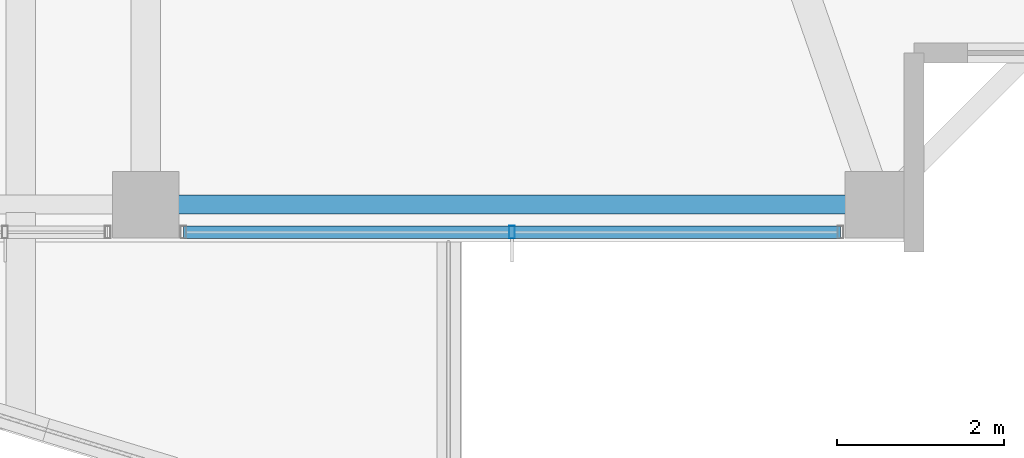
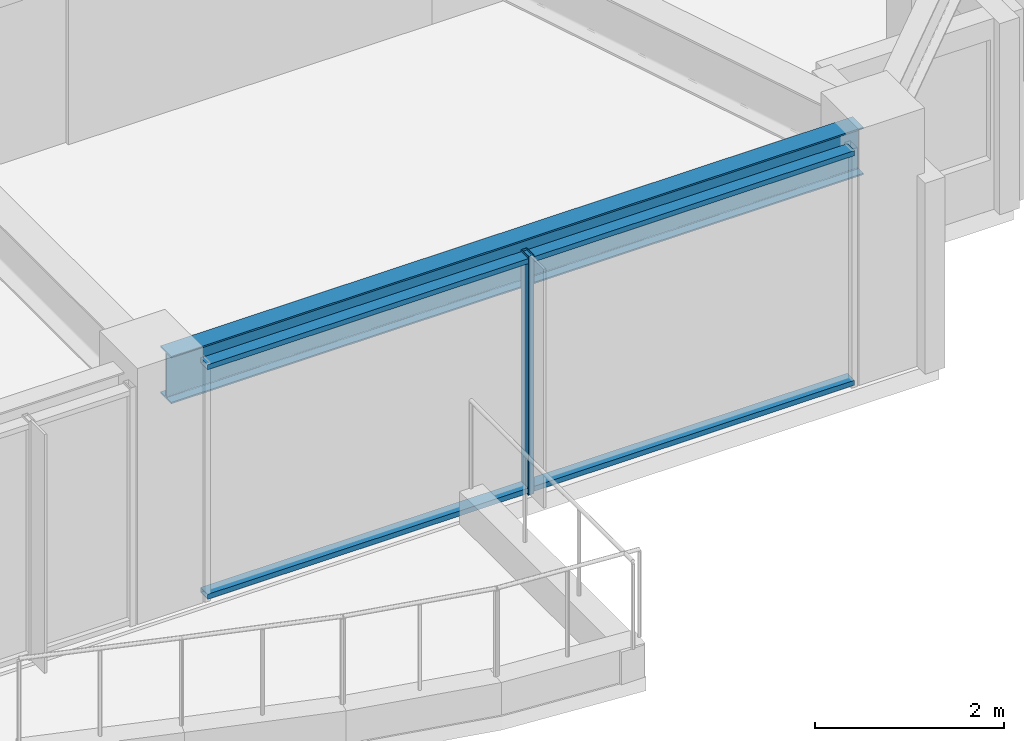
# One storey, part 7 of 36: 3 members, 1 beam, 1 element without a shape of its own.
"""IFC4 building model written with IfcOpenShell, lengths in metres."""

from ifc_helpers import new_model, si_unit, direction, frame, origin, origin_2d, place, context, subcontext, project, spatial, hollow_rectangle, i_section, extrude, material, material_profile, profile_set, type_object, element, aggregate, save


model = new_model("IFC4")

# Units and contexts
model_context = context("Model", 3, precision=1e-05, world=origin(), true_north=direction((0.0, 1.0)))
body_context = subcontext(model_context, "Body", "Model", "MODEL_VIEW")
ifc_project = project(units=[si_unit("LENGTHUNIT", "METRE"), si_unit("AREAUNIT", "SQUARE_METRE"), si_unit("VOLUMEUNIT", "CUBIC_METRE"), si_unit("PLANEANGLEUNIT", "RADIAN"), si_unit("MASSUNIT", "GRAM", prefix="KILO")], contexts=[model_context])

# Site, building, storey
site_placement = place(None, origin())
site = spatial("IfcSite", under=ifc_project, at=site_placement, CompositionType="ELEMENT")
building_placement = place(site_placement, origin())
building = spatial("IfcBuilding", under=site, at=building_placement, Name="Kolvaren Belvedere", CompositionType="ELEMENT")
storey_placement = place(building_placement, frame((0.0, 0.0, 199.800048828125)))
storey = spatial("IfcBuildingStorey", under=building, at=storey_placement, Name="L58", CompositionType="ELEMENT", Elevation=199.800048828125)

# Beam
ifc_material_1 = material(Name="Structural steel ASTM A992 Grade 50", Category="steel")
ifc_material_profile_1 = material_profile(ifc_material_1, i_section(OverallWidth=0.22900390625, OverallDepth=0.612060546875, WebThickness=0.011962890625, FlangeThickness=0.01953125, FilletRadius=0.01806640625, at=origin_2d()), Name="W24X84")
ifc_profile_set_1 = profile_set([ifc_material_profile_1], Name="Structural steel ASTM A992 Grade 50")
beam_type = type_object("IfcBeamType", Name="BM-SPAN-W24X84", PredefinedType="SPANDREL", material=ifc_profile_set_1)
beam_placement = place(storey_placement, frame((4.780029296875, -19.949951171875, 2.77392578125), z_axis=(1.0, 0.0, 0.0), x_axis=(0.0, 1.0, 0.0)))
element("IfcBeam", 1, at=beam_placement, inside=storey, type_object=beam_type, Name="L58 Perimeter Spandrel S3-S4", PredefinedType="SPANDREL", context=body_context, shape_type="SweptSolid", body=[
    extrude(i_section(OverallWidth=0.22900390625, OverallDepth=0.612060546875, WebThickness=0.011962890625, FlangeThickness=0.01953125, FilletRadius=0.01806640625, at=origin_2d()), origin(), (0.0, 0.0, 1.0), 8.43994140625),
])

# Curtain wall, members
ifc_material_2 = material(Name="Anodised pale-metal aluminium AA 6063-T6", Category="aluminium")
curtain_wall_type = type_object("IfcCurtainWallType", Name="CW-Z5-HIGH", PredefinedType="NOTDEFINED", material=ifc_material_2)
curtain_wall_placement = place(storey_placement, origin())
curtain_wall = element("IfcCurtainWall", 2, at=curtain_wall_placement, inside=storey, type_object=curtain_wall_type, Name="L58 Unitised Curtain Wall FCW-L58-S1-B1", PredefinedType="NOTDEFINED")
ifc_material_3 = material(Name="Anodised pale-metal aluminium AA 6063-T6", Category="aluminium")
ifc_material_profile_2 = material_profile(ifc_material_3, hollow_rectangle(XDim=0.070068359375, YDim=0.14990234375, WallThickness=0.004150390625, at=origin_2d()), Name="ALU-MUL-150X70")
ifc_profile_set_2 = profile_set([ifc_material_profile_2], Name="Anodised pale-metal aluminium AA 6063-T6")
member_type_1 = type_object("IfcMemberType", Name="CW-MUL-150", PredefinedType="MULLION", material=ifc_profile_set_2)
member_1_placement = place(storey_placement, frame((9.0, -20.280029296875, 0.0), z_axis=(0.0, 0.0, 1.0), x_axis=(1.0, 0.0, 0.0)))
member_1 = element("IfcMember", 3, at=member_1_placement, type_object=member_type_1, Name="FCW-L58-S1-B1 Unitised Mullion 2", PredefinedType="MULLION", context=body_context, shape_type="SweptSolid", body=[
    extrude(hollow_rectangle(XDim=0.070068359375, YDim=0.14990234375, WallThickness=0.004150390625, at=origin_2d()), origin(), (0.0, 0.0, 1.0), 3.079833984375),
])
ifc_material_4 = material(Name="Anodised pale-metal aluminium AA 6063-T6", Category="aluminium")
ifc_material_profile_3 = material_profile(ifc_material_4, hollow_rectangle(XDim=0.06494140625, YDim=0.14990234375, WallThickness=0.00390625, at=origin_2d()), Name="ALU-TRN-150X65")
ifc_profile_set_3 = profile_set([ifc_material_profile_3], Name="Anodised pale-metal aluminium AA 6063-T6")
member_type_2 = type_object("IfcMemberType", Name="CW-TRN-150", PredefinedType="USERDEFINED", material=ifc_profile_set_3)
member_2_placement = place(storey_placement, frame((12.945068359375, -20.280029296875, 0.06005859375), z_axis=(-1.0, 0.0, 0.0), x_axis=(0.0, 0.0, 1.0)))
member_2 = element("IfcMember", 4, at=member_2_placement, type_object=member_type_2, Name="FCW-L58-S1-B1 Sill Transom", ObjectType="TRANSOM", PredefinedType="USERDEFINED", context=body_context, shape_type="SweptSolid", body=[
    extrude(hollow_rectangle(XDim=0.06494140625, YDim=0.14990234375, WallThickness=0.00390625, at=origin_2d()), origin(), (0.0, 0.0, 1.0), 7.89013671875),
])
member_3_placement = place(storey_placement, frame((12.945068359375, -20.280029296875, 3.02001953125), z_axis=(-1.0, 0.0, 0.0), x_axis=(0.0, 0.0, 1.0)))
member_3 = element("IfcMember", 5, at=member_3_placement, type_object=member_type_2, Name="FCW-L58-S1-B1 Head Transom", ObjectType="TRANSOM", PredefinedType="USERDEFINED", context=body_context, shape_type="SweptSolid", body=[
    extrude(hollow_rectangle(XDim=0.06494140625, YDim=0.14990234375, WallThickness=0.00390625, at=origin_2d()), origin(), (0.0, 0.0, 1.0), 7.89013671875),
])
aggregate(curtain_wall, [member_1, member_2, member_3])

save(model, "model.ifc")
